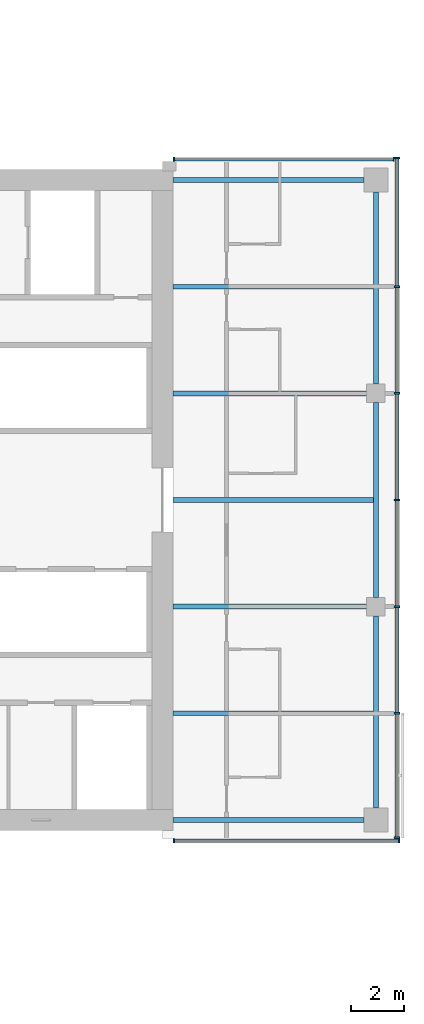
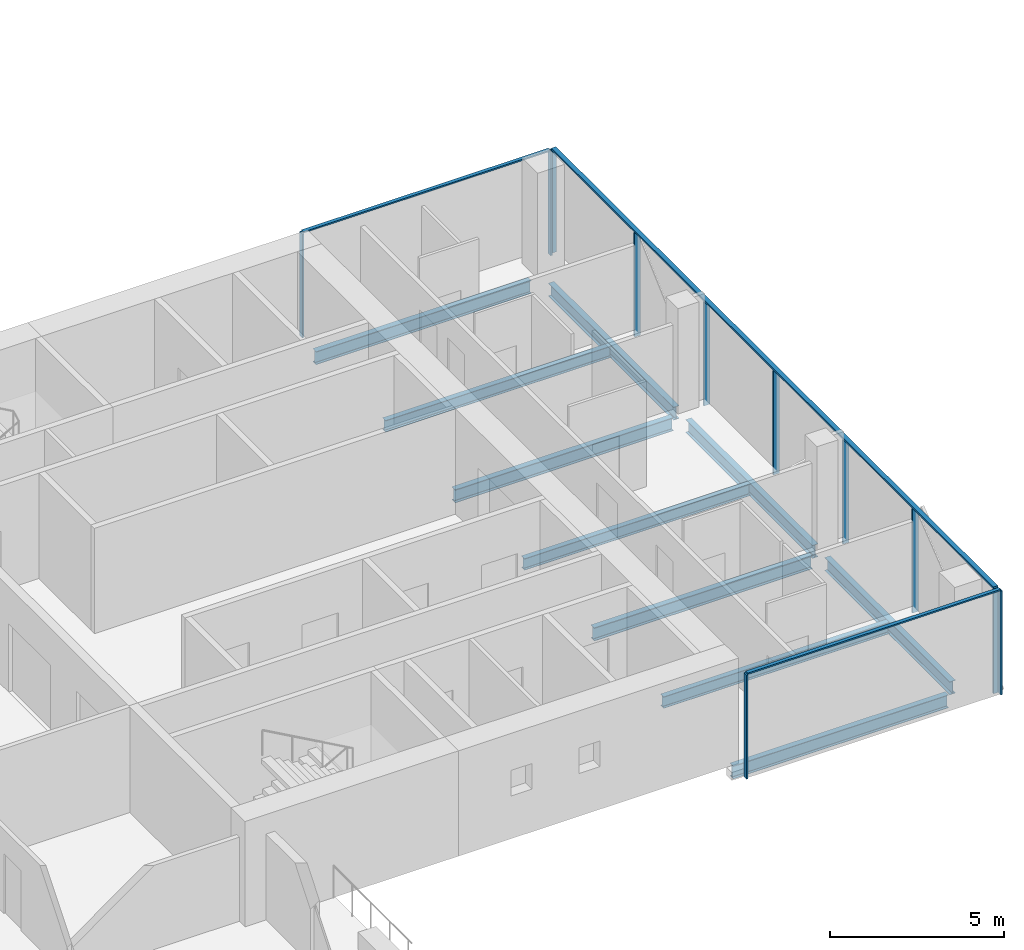
# One storey, part 11 of 27: 14 members, 10 beams, 3 elements without a shape of their own.
"""IFC4 building model written with IfcOpenShell, lengths in metres."""

from ifc_helpers import new_model, si_unit, direction, frame, origin, origin_2d, place, context, subcontext, project, spatial, rectangle, i_section, extrude, material, material_profile, profile_set, type_object, element, aggregate, save


model = new_model("IFC4")

# Units and contexts
model_context = context("Model", 3, precision=1e-05, world=origin(), true_north=direction((0.0, 1.0)))
body_context = subcontext(model_context, "Body", "Model", "MODEL_VIEW")
ifc_project = project(units=[si_unit("LENGTHUNIT", "METRE"), si_unit("AREAUNIT", "SQUARE_METRE"), si_unit("VOLUMEUNIT", "CUBIC_METRE"), si_unit("PLANEANGLEUNIT", "RADIAN"), si_unit("MASSUNIT", "GRAM", prefix="KILO")], contexts=[model_context])

# Site, building, storey
site_placement = place(None, origin())
site = spatial("IfcSite", under=ifc_project, at=site_placement, CompositionType="ELEMENT")
building_placement = place(site_placement, origin())
building = spatial("IfcBuilding", under=site, at=building_placement, Name="Crosswind Convention Tower", CompositionType="ELEMENT")
storey_placement = place(building_placement, frame((0.0, 0.0, 64.60009765625)))
storey = spatial("IfcBuildingStorey", under=building, at=storey_placement, Name="L10", CompositionType="ELEMENT", Elevation=64.60009765625)

# Beams
ifc_material_1 = material(Name="Steel S355", Category="steel")
ifc_material_profile_1 = material_profile(ifc_material_1, i_section(OverallWidth=0.1904296875, OverallDepth=0.457275390625, WebThickness=0.009033203125, FlangeThickness=0.014404296875, FilletRadius=0.01025390625, at=origin_2d()), Name="UB 457x191x75")
ifc_profile_set_1 = profile_set([ifc_material_profile_1], Name="Steel S355")
beam_type_1 = type_object("IfcBeamType", Name="Edge beam UB 457x191x75", PredefinedType="SPANDREL", material=ifc_profile_set_1)
for number, where, z_axis, x_axis, name in (
    (1, (153.39990234375, 88.0, -0.5087890625), (1.0, 0.0, 0.0), (0.0, 1.0, 0.0), "B17 L10 edge beam 24"),
    (2, (153.39990234375, 112.0, -0.5087890625), (1.0, 0.0, 0.0), (0.0, 1.0, 0.0), "B17 L10 edge beam 25"),
):
    element("IfcBeam", number, at=place(storey_placement, frame(where, z_axis=z_axis, x_axis=x_axis)), inside=storey, type_object=beam_type_1, Name=name, PredefinedType="SPANDREL", context=body_context, shape_type="SweptSolid", body=[
        extrude(i_section(OverallWidth=0.1904296875, OverallDepth=0.457275390625, WebThickness=0.009033203125, FlangeThickness=0.014404296875, FilletRadius=0.01025390625, at=origin_2d()), origin(), (0.0, 0.0, 1.0), 7.150146484375),
    ])
beam_1_placement = place(storey_placement, frame((161.0, 88.449951171875, -0.5087890625), z_axis=(0.0, 1.0, 0.0), x_axis=(-1.0, 0.0, 0.0)))
element("IfcBeam", 3, at=beam_1_placement, inside=storey, type_object=beam_type_1, Name="B17 L10 edge beam 26", PredefinedType="SPANDREL", context=body_context, shape_type="SweptSolid", body=[
    extrude(i_section(OverallWidth=0.1904296875, OverallDepth=0.457275390625, WebThickness=0.009033203125, FlangeThickness=0.014404296875, FilletRadius=0.01025390625, at=origin_2d()), origin(), (0.0, 0.0, 1.0), 7.199951171875),
])
beam_2_placement = place(storey_placement, frame((161.0, 96.35009765625, -0.5087890625), z_axis=(0.0, 1.0, 0.0), x_axis=(-1.0, 0.0, 0.0)))
element("IfcBeam", 4, at=beam_2_placement, inside=storey, type_object=beam_type_1, Name="B17 L10 edge beam 27", PredefinedType="SPANDREL", context=body_context, shape_type="SweptSolid", body=[
    extrude(i_section(OverallWidth=0.1904296875, OverallDepth=0.457275390625, WebThickness=0.009033203125, FlangeThickness=0.014404296875, FilletRadius=0.01025390625, at=origin_2d()), origin(), (0.0, 0.0, 1.0), 7.2998046875),
])
beam_3_placement = place(storey_placement, frame((161.0, 104.35009765625, -0.5087890625), z_axis=(0.0, 1.0, 0.0), x_axis=(-1.0, 0.0, 0.0)))
element("IfcBeam", 5, at=beam_3_placement, inside=storey, type_object=beam_type_1, Name="B17 L10 edge beam 28", PredefinedType="SPANDREL", context=body_context, shape_type="SweptSolid", body=[
    extrude(i_section(OverallWidth=0.1904296875, OverallDepth=0.457275390625, WebThickness=0.009033203125, FlangeThickness=0.014404296875, FilletRadius=0.01025390625, at=origin_2d()), origin(), (0.0, 0.0, 1.0), 7.199951171875),
])
ifc_material_profile_2 = material_profile(ifc_material_1, i_section(OverallWidth=0.19189453125, OverallDepth=0.463623046875, WebThickness=0.010498046875, FlangeThickness=0.017578125, FilletRadius=0.01025390625, at=origin_2d()), Name="UB 457x191x90")
ifc_profile_set_2 = profile_set([ifc_material_profile_2], Name="Steel S355")
beam_type_2 = type_object("IfcBeamType", Name="Girder at core wall UB 457x191x90", PredefinedType="BEAM", material=ifc_profile_set_2)
for number, where, z_axis, x_axis, name in (
    (6, (153.39990234375, 96.0, -0.511962890625), (1.0, 0.0, 0.0), (0.0, 1.0, 0.0), "B24 L10 girder at core wall 11"),
    (7, (153.39990234375, 104.0, -0.511962890625), (1.0, 0.0, 0.0), (0.0, 1.0, 0.0), "B24 L10 girder at core wall 12"),
):
    element("IfcBeam", number, at=place(storey_placement, frame(where, z_axis=z_axis, x_axis=x_axis)), inside=storey, type_object=beam_type_2, Name=name, PredefinedType="BEAM", context=body_context, shape_type="SweptSolid", body=[
        extrude(i_section(OverallWidth=0.19189453125, OverallDepth=0.463623046875, WebThickness=0.010498046875, FlangeThickness=0.017578125, FilletRadius=0.01025390625, at=origin_2d()), origin(), (0.0, 0.0, 1.0), 7.25),
    ])

# Curtain wall, members
ifc_material_2 = material(Name="Aluminium unitised curtain wall", Category="aluminium")
curtain_wall_type_1 = type_object("IfcCurtainWallType", Name="CORE END SLOT WALL 160", PredefinedType="USERDEFINED", material=ifc_material_2)
curtain_wall_1_placement = place(storey_placement, origin())
curtain_wall_1 = element("IfcCurtainWall", 8, at=curtain_wall_1_placement, inside=storey, type_object=curtain_wall_type_1, Name="CW6 L10 E-N.1-1 slot", ObjectType="UNITISED", PredefinedType="USERDEFINED")
ifc_material_3 = material(Name="Aluminium mullion", Category="aluminium")
ifc_material_profile_3 = material_profile(ifc_material_3, rectangle(XDim=0.159912109375, YDim=0.050048828125, at=origin_2d()), Name="AL 160X50")
ifc_profile_set_3 = profile_set([ifc_material_profile_3], Name="Aluminium mullion")
member_type_1 = type_object("IfcMemberType", Name="MULLION 50X160", PredefinedType="MULLION", material=ifc_profile_set_3)
member_1_placement = place(storey_placement, frame((161.675048828125, 112.780029296875, -0.280029296875), z_axis=(0.0, 0.0, 1.0), x_axis=(0.0, 1.0, 0.0)))
member_1 = element("IfcMember", 9, at=member_1_placement, type_object=member_type_1, Name="CW6 mullion 1", PredefinedType="MULLION", context=body_context, shape_type="SweptSolid", body=[
    extrude(rectangle(XDim=0.159912109375, YDim=0.050048828125, at=origin_2d()), origin(), (0.0, 0.0, 1.0), 3.64990234375),
])
member_2_placement = place(storey_placement, frame((153.425048828125, 112.780029296875, -0.280029296875), z_axis=(0.0, 0.0, 1.0), x_axis=(0.0, 1.0, 0.0)))
member_2 = element("IfcMember", 10, at=member_2_placement, type_object=member_type_1, Name="CW6 mullion 2", PredefinedType="MULLION", context=body_context, shape_type="SweptSolid", body=[
    extrude(rectangle(XDim=0.159912109375, YDim=0.050048828125, at=origin_2d()), origin(), (0.0, 0.0, 1.0), 3.64990234375),
])

curtain_wall_2_placement = place(storey_placement, origin())
curtain_wall_2 = element("IfcCurtainWall", 11, at=curtain_wall_2_placement, inside=storey, type_object=curtain_wall_type_1, Name="CW6 L10 E-S.2-1 slot", ObjectType="UNITISED", PredefinedType="USERDEFINED")
member_3_placement = place(storey_placement, frame((153.425048828125, 87.219970703125, -0.280029296875), z_axis=(0.0, 0.0, 1.0), x_axis=(0.0, -1.0, 0.0)))
member_3 = element("IfcMember", 12, at=member_3_placement, type_object=member_type_1, Name="CW6 mullion 1", PredefinedType="MULLION", context=body_context, shape_type="SweptSolid", body=[
    extrude(rectangle(XDim=0.159912109375, YDim=0.050048828125, at=origin_2d()), origin(), (0.0, 0.0, 1.0), 3.64990234375),
])
member_4_placement = place(storey_placement, frame((161.875, 87.219970703125, -0.280029296875), z_axis=(0.0, 0.0, 1.0), x_axis=(0.0, -1.0, 0.0)))
member_4 = element("IfcMember", 13, at=member_4_placement, type_object=member_type_1, Name="CW6 mullion 2", PredefinedType="MULLION", context=body_context, shape_type="SweptSolid", body=[
    extrude(rectangle(XDim=0.159912109375, YDim=0.050048828125, at=origin_2d()), origin(), (0.0, 0.0, 1.0), 3.64990234375),
])

curtain_wall_type_2 = type_object("IfcCurtainWallType", Name="HOTEL UNITISED WALL 200", PredefinedType="USERDEFINED", material=ifc_material_2)
curtain_wall_3_placement = place(storey_placement, origin())
curtain_wall_3 = element("IfcCurtainWall", 14, at=curtain_wall_3_placement, inside=storey, type_object=curtain_wall_type_2, Name="CW2 L10 E-TIP 1", ObjectType="UNITISED", PredefinedType="USERDEFINED")
ifc_material_profile_4 = material_profile(ifc_material_3, rectangle(XDim=0.199951171875, YDim=0.06494140625, at=origin_2d()), Name="AL 200X65")
ifc_profile_set_4 = profile_set([ifc_material_profile_4], Name="Aluminium mullion")
member_type_2 = type_object("IfcMemberType", Name="MULLION 65X200", PredefinedType="MULLION", material=ifc_profile_set_4)
member_5_placement = place(storey_placement, frame((161.800048828125, 87.33251953125, -0.280029296875), z_axis=(0.0, 0.0, 1.0), x_axis=(1.0, 0.0, 0.0)))
member_5 = element("IfcMember", 15, at=member_5_placement, type_object=member_type_2, Name="CW2 mullion 1", PredefinedType="MULLION", context=body_context, shape_type="SweptSolid", body=[
    extrude(rectangle(XDim=0.199951171875, YDim=0.06494140625, at=origin_2d()), origin(), (0.0, 0.0, 1.0), 3.635009765625),
])
member_6_placement = place(storey_placement, frame((161.800048828125, 92.0, -0.280029296875), z_axis=(0.0, 0.0, 1.0), x_axis=(1.0, 0.0, 0.0)))
member_6 = element("IfcMember", 16, at=member_6_placement, type_object=member_type_2, Name="CW2 mullion 2", PredefinedType="MULLION", context=body_context, shape_type="SweptSolid", body=[
    extrude(rectangle(XDim=0.199951171875, YDim=0.06494140625, at=origin_2d()), origin(), (0.0, 0.0, 1.0), 3.635009765625),
])
member_7_placement = place(storey_placement, frame((161.800048828125, 96.0, -0.280029296875), z_axis=(0.0, 0.0, 1.0), x_axis=(1.0, 0.0, 0.0)))
member_7 = element("IfcMember", 17, at=member_7_placement, type_object=member_type_2, Name="CW2 mullion 3", PredefinedType="MULLION", context=body_context, shape_type="SweptSolid", body=[
    extrude(rectangle(XDim=0.199951171875, YDim=0.06494140625, at=origin_2d()), origin(), (0.0, 0.0, 1.0), 3.635009765625),
])
member_8_placement = place(storey_placement, frame((161.800048828125, 100.0, -0.280029296875), z_axis=(0.0, 0.0, 1.0), x_axis=(1.0, 0.0, 0.0)))
member_8 = element("IfcMember", 18, at=member_8_placement, type_object=member_type_2, Name="CW2 mullion 4", PredefinedType="MULLION", context=body_context, shape_type="SweptSolid", body=[
    extrude(rectangle(XDim=0.199951171875, YDim=0.06494140625, at=origin_2d()), origin(), (0.0, 0.0, 1.0), 3.635009765625),
])
member_9_placement = place(storey_placement, frame((161.800048828125, 104.0, -0.280029296875), z_axis=(0.0, 0.0, 1.0), x_axis=(1.0, 0.0, 0.0)))
member_9 = element("IfcMember", 19, at=member_9_placement, type_object=member_type_2, Name="CW2 mullion 5", PredefinedType="MULLION", context=body_context, shape_type="SweptSolid", body=[
    extrude(rectangle(XDim=0.199951171875, YDim=0.06494140625, at=origin_2d()), origin(), (0.0, 0.0, 1.0), 3.635009765625),
])
member_10_placement = place(storey_placement, frame((161.800048828125, 108.0, -0.280029296875), z_axis=(0.0, 0.0, 1.0), x_axis=(1.0, 0.0, 0.0)))
member_10 = element("IfcMember", 20, at=member_10_placement, type_object=member_type_2, Name="CW2 mullion 6", PredefinedType="MULLION", context=body_context, shape_type="SweptSolid", body=[
    extrude(rectangle(XDim=0.199951171875, YDim=0.06494140625, at=origin_2d()), origin(), (0.0, 0.0, 1.0), 3.635009765625),
])
member_11_placement = place(storey_placement, frame((161.800048828125, 112.827392578125, -0.280029296875), z_axis=(0.0, 0.0, 1.0), x_axis=(1.0, 0.0, 0.0)))
member_11 = element("IfcMember", 21, at=member_11_placement, type_object=member_type_2, Name="CW2 mullion 7", PredefinedType="MULLION", context=body_context, shape_type="SweptSolid", body=[
    extrude(rectangle(XDim=0.199951171875, YDim=0.06494140625, at=origin_2d()), origin(), (0.0, 0.0, 1.0), 3.635009765625),
])

# Beams
ifc_material_profile_5 = material_profile(ifc_material_1, i_section(OverallWidth=0.177734375, OverallDepth=0.406494140625, WebThickness=0.0078125, FlangeThickness=0.0126953125, FilletRadius=0.01025390625, at=origin_2d()), Name="UB 406x178x60")
ifc_profile_set_5 = profile_set([ifc_material_profile_5], Name="Steel S355")
beam_type_3 = type_object("IfcBeamType", Name="Secondary beam UB 406x178x60", PredefinedType="JOIST", material=ifc_profile_set_5)
for number, where, z_axis, x_axis, name in (
    (22, (153.39990234375, 92.0, -0.4833984375), (1.0, 0.0, 0.0), (0.0, 1.0, 0.0), "B10 L10 secondary beam 31"),
    (23, (153.39990234375, 100.0, -0.4833984375), (1.0, 0.0, 0.0), (0.0, 1.0, 0.0), "B10 L10 secondary beam 32"),
    (24, (153.39990234375, 108.0, -0.4833984375), (1.0, 0.0, 0.0), (0.0, 1.0, 0.0), "B10 L10 secondary beam 33"),
):
    element("IfcBeam", number, at=place(storey_placement, frame(where, z_axis=z_axis, x_axis=x_axis)), inside=storey, type_object=beam_type_3, Name=name, PredefinedType="JOIST", context=body_context, shape_type="SweptSolid", body=[
        extrude(i_section(OverallWidth=0.177734375, OverallDepth=0.406494140625, WebThickness=0.0078125, FlangeThickness=0.0126953125, FilletRadius=0.01025390625, at=origin_2d()), origin(), (0.0, 0.0, 1.0), 7.5048828125),
    ])

# Member
ifc_material_4 = material(Name="Aluminium transom", Category="aluminium")
ifc_material_profile_6 = material_profile(ifc_material_4, rectangle(XDim=0.1201171875, YDim=0.050048828125, at=origin_2d()), Name="AL 120X50")
ifc_profile_set_6 = profile_set([ifc_material_profile_6], Name="Aluminium transom")
member_type_3 = type_object("IfcMemberType", Name="TRANSOM 50X120", PredefinedType="USERDEFINED", material=ifc_profile_set_6)
member_12_placement = place(storey_placement, frame((161.64990234375, 112.780029296875, 3.39501953125), z_axis=(-1.0, 0.0, 0.0), x_axis=(0.0, -1.0, 0.0)))
member_12 = element("IfcMember", 25, at=member_12_placement, type_object=member_type_3, Name="CW6 transom", ObjectType="TRANSOM", PredefinedType="USERDEFINED", context=body_context, shape_type="SweptSolid", body=[
    extrude(rectangle(XDim=0.1201171875, YDim=0.050048828125, at=origin_2d()), origin(), (0.0, 0.0, 1.0), 8.199951171875),
])

aggregate(curtain_wall_1, [member_1, member_2, member_12])

member_13_placement = place(storey_placement, frame((153.449951171875, 87.219970703125, 3.39501953125), z_axis=(1.0, 0.0, 0.0), x_axis=(0.0, 1.0, 0.0)))
member_13 = element("IfcMember", 26, at=member_13_placement, type_object=member_type_3, Name="CW6 transom", ObjectType="TRANSOM", PredefinedType="USERDEFINED", context=body_context, shape_type="SweptSolid", body=[
    extrude(rectangle(XDim=0.1201171875, YDim=0.050048828125, at=origin_2d()), origin(), (0.0, 0.0, 1.0), 8.400146484375),
])

aggregate(curtain_wall_2, [member_3, member_4, member_13])

ifc_material_profile_7 = material_profile(ifc_material_4, rectangle(XDim=0.14990234375, YDim=0.06494140625, at=origin_2d()), Name="AL 150X65")
ifc_profile_set_7 = profile_set([ifc_material_profile_7], Name="Aluminium transom")
member_type_4 = type_object("IfcMemberType", Name="TRANSOM 65X150", PredefinedType="USERDEFINED", material=ifc_profile_set_7)
member_14_placement = place(storey_placement, frame((161.800048828125, 87.364990234375, 3.387451171875), z_axis=(0.0, 1.0, 0.0), x_axis=(-1.0, 0.0, 0.0)))
member_14 = element("IfcMember", 27, at=member_14_placement, type_object=member_type_4, Name="CW2 transom", ObjectType="TRANSOM", PredefinedType="USERDEFINED", context=body_context, shape_type="SweptSolid", body=[
    extrude(rectangle(XDim=0.14990234375, YDim=0.06494140625, at=origin_2d()), origin(), (0.0, 0.0, 1.0), 25.429931640625),
])

aggregate(curtain_wall_3, [member_5, member_6, member_7, member_8, member_9, member_10, member_11, member_14])

save(model, "model.ifc")
